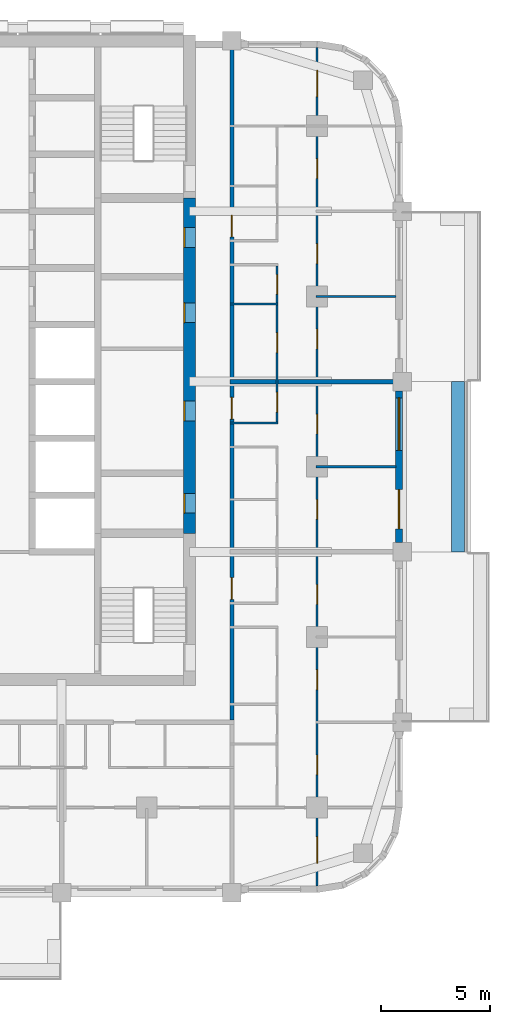
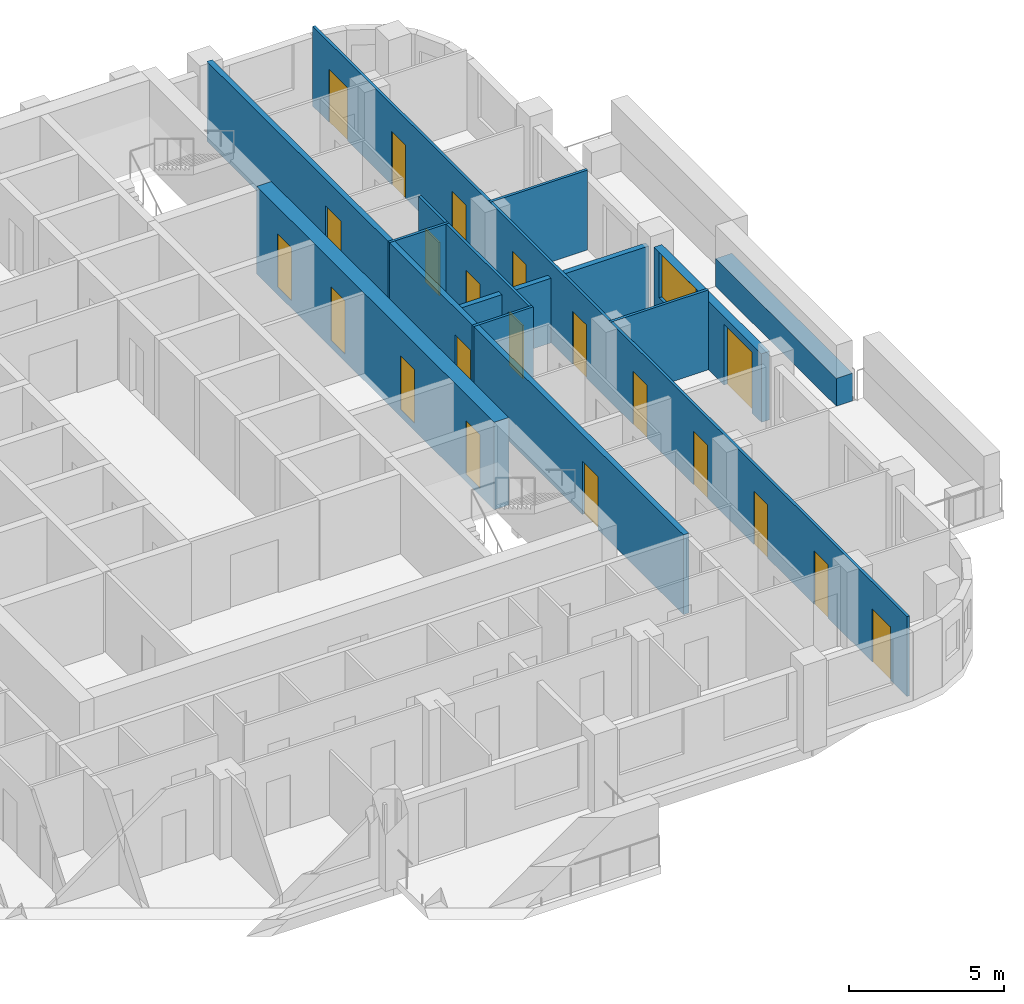
# One storey, part 7 of 14: 21 doors, 11 walls, 1 window, 22 openings.
"""IFC4 building model written with IfcOpenShell, lengths in metres."""

from ifc_helpers import new_model, si_unit, direction, frame, frame_2d, origin, place, context, subcontext, project, spatial, rectangle, extrude, material, layer, layer_set, type_object, element, fill, save


model = new_model("IFC4")

# Units and contexts
model_context = context("Model", 3, precision=1e-05, world=origin(), true_north=direction((0.0, 1.0)))
body_context = subcontext(model_context, "Body", "Model", "MODEL_VIEW")
ifc_project = project(units=[si_unit("LENGTHUNIT", "METRE"), si_unit("AREAUNIT", "SQUARE_METRE"), si_unit("VOLUMEUNIT", "CUBIC_METRE"), si_unit("PLANEANGLEUNIT", "RADIAN"), si_unit("MASSUNIT", "GRAM", prefix="KILO")], contexts=[model_context])

# Site, building, storey
site_placement = place(None, origin())
site = spatial("IfcSite", under=ifc_project, at=site_placement, CompositionType="ELEMENT")
building_placement = place(site_placement, origin())
building = spatial("IfcBuilding", under=site, at=building_placement, Name="Ludao Terraces", CompositionType="ELEMENT")
storey_placement = place(building_placement, frame((0.0, 0.0, 99.89990234375)))
storey = spatial("IfcBuildingStorey", under=building, at=storey_placement, Name="L27", CompositionType="ELEMENT", Elevation=99.89990234375)

# Wall, openings, doors
ifc_material_1 = material(Name="Concrete C60", Category="concrete")
ifc_layer_1 = layer(ifc_material_1, 0.550048828125)
ifc_layer_set_1 = layer_set([ifc_layer_1], Name="Core wall 550 C60")
wall_type_1 = type_object("IfcWallType", Name="Core wall 550 C60", PredefinedType="SOLIDWALL", material=ifc_layer_set_1)
wall_1_placement = place(storey_placement, frame((94.75, 61.949951171875, -0.2998046875), z_axis=(0.0, 0.0, 1.0), x_axis=(0.0, 1.0, 0.0)))
wall_1 = element("IfcWall", 1, at=wall_1_placement, inside=storey, type_object=wall_type_1, Name="Core wall L27 outer-E", PredefinedType="SOLIDWALL", context=body_context, shape_type="SweptSolid", body=[
    extrude(rectangle(XDim=15.35009765625, YDim=0.550048828125, at=frame_2d((7.675048828125, 0.0))), origin(), (0.0, 0.0, 1.0), 3.449951171875),
])
opening_1_placement = place(wall_1_placement, frame((0.925048828125, 0.0, 0.300048828125)))
opening_1 = element("IfcOpeningElement", 2, at=opening_1_placement, cuts=wall_1, Name="Opening R08-049", PredefinedType="OPENING", context=body_context, shape_type="SweptSolid", body=[
    extrude(rectangle(XDim=0.89990234375, YDim=2.10009765625, at=frame_2d((0.449951171875, 1.050048828125))), frame((0.0, 0.28515625, 0.0), z_axis=(0.0, -1.0, 0.0), x_axis=(1.0, 0.0, 0.0)), (0.0, 0.0, 1.0), 0.570068359375),
])
opening_2_placement = place(wall_1_placement, frame((5.14990234375, 0.0, 0.300048828125)))
opening_2 = element("IfcOpeningElement", 3, at=opening_2_placement, cuts=wall_1, Name="Opening R08-057", PredefinedType="OPENING", context=body_context, shape_type="SweptSolid", body=[
    extrude(rectangle(XDim=0.89990234375, YDim=2.10009765625, at=frame_2d((0.449951171875, 1.050048828125))), frame((0.0, 0.28515625, 0.0), z_axis=(0.0, -1.0, 0.0), x_axis=(1.0, 0.0, 0.0)), (0.0, 0.0, 1.0), 0.570068359375),
])
opening_3_placement = place(wall_1_placement, frame((9.64990234375, 0.0, 0.300048828125)))
opening_3 = element("IfcOpeningElement", 4, at=opening_3_placement, cuts=wall_1, Name="Opening R08-067", PredefinedType="OPENING", context=body_context, shape_type="SweptSolid", body=[
    extrude(rectangle(XDim=0.89990234375, YDim=2.10009765625, at=frame_2d((0.449951171875, 1.050048828125))), frame((0.0, 0.28515625, 0.0), z_axis=(0.0, -1.0, 0.0), x_axis=(1.0, 0.0, 0.0)), (0.0, 0.0, 1.0), 0.570068359375),
])
opening_4_placement = place(wall_1_placement, frame((13.10009765625, 0.0, 0.300048828125)))
opening_4 = element("IfcOpeningElement", 5, at=opening_4_placement, cuts=wall_1, Name="Opening R08-081", PredefinedType="OPENING", context=body_context, shape_type="SweptSolid", body=[
    extrude(rectangle(XDim=0.89990234375, YDim=2.10009765625, at=frame_2d((0.449951171875, 1.050048828125))), frame((0.0, 0.28515625, 0.0), z_axis=(0.0, -1.0, 0.0), x_axis=(1.0, 0.0, 0.0)), (0.0, 0.0, 1.0), 0.570068359375),
])
ifc_material_2 = material(Name="Steel Q235", Category="steel")
door_type_1 = type_object("IfcDoorType", Name="INT Riser door 900", OperationType="SINGLE_SWING_LEFT", PredefinedType="DOOR", material=ifc_material_2)
door_1_placement = place(opening_1_placement, origin())
door_1 = element("IfcDoor", 6, at=door_1_placement, inside=storey, type_object=door_type_1, Name="DOOR 049", OperationType="SINGLE_SWING_LEFT", OverallHeight=2.10009765625, OverallWidth=0.89990234375, PredefinedType="DOOR", context=body_context, shape_type="SweptSolid", body=[
    extrude(rectangle(XDim=0.89990234375, YDim=2.10009765625, at=frame_2d((0.449951171875, 1.050048828125))), frame((0.0, 0.26025390625, 0.0), z_axis=(0.0, -1.0, 0.0), x_axis=(1.0, 0.0, 0.0)), (0.0, 0.0, 1.0), 0.050048828125),
])
fill(opening_1, door_1)
door_2_placement = place(opening_4_placement, origin())
door_2 = element("IfcDoor", 7, at=door_2_placement, inside=storey, type_object=door_type_1, Name="DOOR 081", OperationType="SINGLE_SWING_RIGHT", OverallHeight=2.10009765625, OverallWidth=0.89990234375, PredefinedType="DOOR", context=body_context, shape_type="SweptSolid", body=[
    extrude(rectangle(XDim=0.89990234375, YDim=2.10009765625, at=frame_2d((0.449951171875, 1.050048828125))), frame((0.0, 0.26025390625, 0.0), z_axis=(0.0, -1.0, 0.0), x_axis=(1.0, 0.0, 0.0)), (0.0, 0.0, 1.0), 0.050048828125),
])
fill(opening_4, door_2)
ifc_material_3 = material(Name="Timber door leaf", Category="wood")
door_type_2 = type_object("IfcDoorType", Name="INT Room door 900", OperationType="SINGLE_SWING_LEFT", PredefinedType="DOOR", material=ifc_material_3)
door_3_placement = place(opening_2_placement, origin())
door_3 = element("IfcDoor", 8, at=door_3_placement, inside=storey, type_object=door_type_2, Name="DOOR 057", OperationType="SINGLE_SWING_LEFT", OverallHeight=2.10009765625, OverallWidth=0.89990234375, PredefinedType="DOOR", context=body_context, shape_type="SweptSolid", body=[
    extrude(rectangle(XDim=0.89990234375, YDim=2.10009765625, at=frame_2d((0.449951171875, 1.050048828125))), frame((0.0, 0.26025390625, 0.0), z_axis=(0.0, -1.0, 0.0), x_axis=(1.0, 0.0, 0.0)), (0.0, 0.0, 1.0), 0.050048828125),
])
fill(opening_2, door_3)
door_4_placement = place(opening_3_placement, origin())
door_4 = element("IfcDoor", 9, at=door_4_placement, inside=storey, type_object=door_type_2, Name="DOOR 067", OperationType="SINGLE_SWING_RIGHT", OverallHeight=2.10009765625, OverallWidth=0.89990234375, PredefinedType="DOOR", context=body_context, shape_type="SweptSolid", body=[
    extrude(rectangle(XDim=0.89990234375, YDim=2.10009765625, at=frame_2d((0.449951171875, 1.050048828125))), frame((0.0, 0.26025390625, 0.0), z_axis=(0.0, -1.0, 0.0), x_axis=(1.0, 0.0, 0.0)), (0.0, 0.0, 1.0), 0.050048828125),
])
fill(opening_3, door_4)

# Wall
ifc_material_4 = material(Name="Concrete C40", Category="concrete")
ifc_layer_2 = layer(ifc_material_4, 0.60009765625)
ifc_layer_set_2 = layer_set([ifc_layer_2], Name="ENV Planter trough 600")
wall_type_2 = type_object("IfcWallType", Name="ENV Planter trough 600", PredefinedType="USERDEFINED", material=ifc_layer_set_2)
wall_2_placement = place(storey_placement, frame((107.050048828125, 61.10009765625, 0.0), z_axis=(0.0, 0.0, 1.0), x_axis=(0.0, 1.0, 0.0)))
element("IfcWall", 10, at=wall_2_placement, inside=storey, type_object=wall_type_2, Name="PL-L27-E2", ObjectType="PLANTER", PredefinedType="USERDEFINED", context=body_context, shape_type="SweptSolid", body=[
    extrude(rectangle(XDim=7.7998046875, YDim=0.60009765625, at=frame_2d((3.89990234375, 0.0))), origin(), (0.0, 0.0, 1.0), 1.10009765625),
])

# Wall, openings, door, window
ifc_material_5 = material(Name="Granite cladding", Category="masonry")
ifc_layer_3 = layer(ifc_material_5, 0.0400390625, Category="stone")
ifc_material_6 = material(Name="Mineral wool")
ifc_layer_4 = layer(ifc_material_6, 0.06005859375)
ifc_layer_5 = layer(ifc_material_4, 0.199951171875, Category="concrete")
ifc_layer_set_3 = layer_set([ifc_layer_3, ifc_layer_4, ifc_layer_5], Name="ENV Stone-clad wall 300")
wall_type_3 = type_object("IfcWallType", Name="ENV Stone-clad wall 300", PredefinedType="SOLIDWALL", material=ifc_layer_set_3)
wall_3_placement = place(storey_placement, frame((104.35009765625, 61.52490234375, 0.0), z_axis=(0.0, 0.0, 1.0), x_axis=(0.0, 1.0, 0.0)))
wall_3 = element("IfcWall", 11, at=wall_3_placement, inside=storey, type_object=wall_type_3, Name="EW-L27-E3", PredefinedType="SOLIDWALL", context=body_context, shape_type="SweptSolid", body=[
    extrude(rectangle(XDim=6.9501953125, YDim=0.300048828125, at=frame_2d((3.47509765625, 0.0))), origin(), (0.0, 0.0, 1.0), 2.7001953125),
])
opening_5_placement = place(wall_3_placement, frame((0.625, 0.0, 0.0)))
opening_5 = element("IfcOpeningElement", 12, at=opening_5_placement, cuts=wall_3, Name="Opening BD", PredefinedType="OPENING", context=body_context, shape_type="SweptSolid", body=[
    extrude(rectangle(XDim=1.800048828125, YDim=2.39990234375, at=frame_2d((0.89990234375, 1.199951171875))), frame((0.0, 0.16015625, 0.0), z_axis=(0.0, -1.0, 0.0), x_axis=(1.0, 0.0, 0.0)), (0.0, 0.0, 1.0), 0.320068359375),
])
opening_6_placement = place(wall_3_placement, frame((4.22509765625, 0.0, 0.89990234375)))
opening_6 = element("IfcOpeningElement", 13, at=opening_6_placement, cuts=wall_3, Name="Opening W1", PredefinedType="OPENING", context=body_context, shape_type="SweptSolid", body=[
    extrude(rectangle(XDim=2.39990234375, YDim=1.800048828125, at=frame_2d((1.199951171875, 0.89990234375))), frame((0.0, 0.16015625, 0.0), z_axis=(0.0, -1.0, 0.0), x_axis=(1.0, 0.0, 0.0)), (0.0, 0.0, 1.0), 0.320068359375),
])
ifc_material_7 = material(Name="Aluminium glazed door", Category="aluminium")
ifc_layer_6 = layer(ifc_material_7, 0.06005859375)
ifc_layer_set_4 = layer_set([ifc_layer_6], Name="ENV Balcony door BD 1800x2400")
door_type_3 = type_object("IfcDoorType", Name="ENV Balcony door BD 1800x2400", OperationType="DOUBLE_DOOR_SINGLE_SWING", PredefinedType="DOOR", material=ifc_layer_set_4)
door_5_placement = place(opening_5_placement, origin())
door_5 = element("IfcDoor", 14, at=door_5_placement, inside=storey, type_object=door_type_3, Name="BD-L27-E3-1", OperationType="DOUBLE_DOOR_SINGLE_SWING", OverallHeight=2.39990234375, OverallWidth=1.800048828125, PredefinedType="DOOR", context=body_context, shape_type="SweptSolid", body=[
    extrude(rectangle(XDim=1.800048828125, YDim=2.39990234375, at=frame_2d((0.89990234375, 1.199951171875))), frame((0.0, 0.02490234375, 0.0), z_axis=(0.0, -1.0, 0.0), x_axis=(1.0, 0.0, 0.0)), (0.0, 0.0, 1.0), 0.050048828125),
])
fill(opening_5, door_5)
ifc_material_8 = material(Name="Clear glass in aluminium frame", Category="aluminium")
ifc_layer_7 = layer(ifc_material_8, 0.06005859375)
ifc_layer_set_5 = layer_set([ifc_layer_7], Name="ENV Window W1 2400x1800")
window_type = type_object("IfcWindowType", Name="ENV Window W1 2400x1800", PartitioningType="DOUBLE_PANEL_VERTICAL", PredefinedType="WINDOW", material=ifc_layer_set_5)
window_placement = place(opening_6_placement, origin())
window = element("IfcWindow", 15, at=window_placement, inside=storey, type_object=window_type, Name="W-L27-E3-2", OverallHeight=1.800048828125, OverallWidth=2.39990234375, PartitioningType="DOUBLE_PANEL_VERTICAL", PredefinedType="WINDOW", context=body_context, shape_type="SweptSolid", body=[
    extrude(rectangle(XDim=2.39990234375, YDim=1.800048828125, at=frame_2d((1.199951171875, 0.89990234375))), frame((0.0, 0.030029296875, 0.0), z_axis=(0.0, -1.0, 0.0), x_axis=(1.0, 0.0, 0.0)), (0.0, 0.0, 1.0), 0.06005859375),
])
fill(opening_6, window)

# Wall, openings, doors
ifc_material_9 = material(Name="Autoclaved aerated concrete block B06 A3.5", Category="concrete")
ifc_layer_8 = layer(ifc_material_9, 0.199951171875)
ifc_layer_set_6 = layer_set([ifc_layer_8], Name="INT Entrance wall 200")
wall_type_4 = type_object("IfcWallType", Name="INT Entrance wall 200", PredefinedType="PARTITIONING", material=ifc_layer_set_6)
wall_4_placement = place(storey_placement, frame((96.699951171875, 53.400146484375, 0.0), z_axis=(0.0, 0.0, 1.0), x_axis=(0.0, 1.0, 0.0)))
wall_4 = element("IfcWall", 16, at=wall_4_placement, inside=storey, type_object=wall_type_4, Name="PW-L27-PW072", PredefinedType="PARTITIONING", context=body_context, shape_type="SweptSolid", body=[
    extrude(rectangle(XDim=30.800048828125, YDim=0.199951171875, at=frame_2d((15.39990234375, 0.0))), origin(), (0.0, 0.0, 1.0), 3.150146484375),
])
opening_7_placement = place(wall_4_placement, frame((5.52490234375, 0.0, 0.0)))
opening_7 = element("IfcOpeningElement", 17, at=opening_7_placement, cuts=wall_4, Name="Opening R08-039", PredefinedType="OPENING", context=body_context, shape_type="SweptSolid", body=[
    extrude(rectangle(XDim=1.0, YDim=2.10009765625, at=frame_2d((0.5, 1.050048828125))), frame((0.0, 0.10986328125, 0.0), z_axis=(0.0, -1.0, 0.0), x_axis=(1.0, 0.0, 0.0)), (0.0, 0.0, 1.0), 0.219970703125),
])
opening_8_placement = place(wall_4_placement, frame((13.77490234375, 0.0, 0.0)))
opening_8 = element("IfcOpeningElement", 18, at=opening_8_placement, cuts=wall_4, Name="Opening R08-059", PredefinedType="OPENING", context=body_context, shape_type="SweptSolid", body=[
    extrude(rectangle(XDim=1.0, YDim=2.10009765625, at=frame_2d((0.5, 1.050048828125))), frame((0.0, 0.10986328125, 0.0), z_axis=(0.0, -1.0, 0.0), x_axis=(1.0, 0.0, 0.0)), (0.0, 0.0, 1.0), 0.219970703125),
])
opening_9_placement = place(wall_4_placement, frame((22.125, 0.0, 0.0)))
opening_9 = element("IfcOpeningElement", 19, at=opening_9_placement, cuts=wall_4, Name="Opening R08-082", PredefinedType="OPENING", context=body_context, shape_type="SweptSolid", body=[
    extrude(rectangle(XDim=1.0, YDim=2.10009765625, at=frame_2d((0.5, 1.050048828125))), frame((0.0, 0.10986328125, 0.0), z_axis=(0.0, -1.0, 0.0), x_axis=(1.0, 0.0, 0.0)), (0.0, 0.0, 1.0), 0.219970703125),
])
door_type_4 = type_object("IfcDoorType", Name="INT Flat entrance door 1000", OperationType="SINGLE_SWING_LEFT", PredefinedType="DOOR", material=ifc_material_2)
door_6_placement = place(opening_7_placement, origin())
door_6 = element("IfcDoor", 20, at=door_6_placement, inside=storey, type_object=door_type_4, Name="DOOR 039", OperationType="SINGLE_SWING_LEFT", OverallHeight=2.10009765625, OverallWidth=1.0, PredefinedType="DOOR", context=body_context, shape_type="SweptSolid", body=[
    extrude(rectangle(XDim=1.0, YDim=2.10009765625, at=frame_2d((0.5, 1.050048828125))), frame((0.0, 0.02490234375, 0.0), z_axis=(0.0, -1.0, 0.0), x_axis=(1.0, 0.0, 0.0)), (0.0, 0.0, 1.0), 0.050048828125),
])
fill(opening_7, door_6)
door_7_placement = place(opening_8_placement, origin())
door_7 = element("IfcDoor", 21, at=door_7_placement, inside=storey, type_object=door_type_4, Name="DOOR 059", OperationType="SINGLE_SWING_LEFT", OverallHeight=2.10009765625, OverallWidth=1.0, PredefinedType="DOOR", context=body_context, shape_type="SweptSolid", body=[
    extrude(rectangle(XDim=1.0, YDim=2.10009765625, at=frame_2d((0.5, 1.050048828125))), frame((0.0, 0.02490234375, 0.0), z_axis=(0.0, -1.0, 0.0), x_axis=(1.0, 0.0, 0.0)), (0.0, 0.0, 1.0), 0.050048828125),
])
fill(opening_8, door_7)
door_8_placement = place(opening_9_placement, origin())
door_8 = element("IfcDoor", 22, at=door_8_placement, inside=storey, type_object=door_type_4, Name="DOOR 082", OperationType="SINGLE_SWING_LEFT", OverallHeight=2.10009765625, OverallWidth=1.0, PredefinedType="DOOR", context=body_context, shape_type="SweptSolid", body=[
    extrude(rectangle(XDim=1.0, YDim=2.10009765625, at=frame_2d((0.5, 1.050048828125))), frame((0.0, 0.02490234375, 0.0), z_axis=(0.0, -1.0, 0.0), x_axis=(1.0, 0.0, 0.0)), (0.0, 0.0, 1.0), 0.050048828125),
])
fill(opening_9, door_8)

# Walls
ifc_material_10 = material(Name="Gypsum plasterboard", Category="gypsum")
ifc_layer_9 = layer(ifc_material_10, 0.012451171875, Category="gypsum")
ifc_layer_10 = layer(ifc_material_6, 0.06005859375, Name="insulation")
ifc_layer_11 = layer(ifc_material_2, 0.014892578125, Name="stud")
ifc_layer_12 = layer(ifc_material_10, 0.012451171875, Category="gypsum")
ifc_layer_set_7 = layer_set([ifc_layer_9, ifc_layer_10, ifc_layer_11, ifc_layer_12], Name="INT Partition 100")
wall_type_5 = type_object("IfcWallType", Name="INT Partition 100", PredefinedType="PARTITIONING", material=ifc_layer_set_7)
wall_5_placement = place(storey_placement, frame((100.550048828125, 65.0, 0.0), z_axis=(0.0, 0.0, 1.0), x_axis=(1.0, 0.0, 0.0)))
element("IfcWall", 23, at=wall_5_placement, inside=storey, type_object=wall_type_5, Name="PW-L27-PW024", PredefinedType="PARTITIONING", context=body_context, shape_type="SweptSolid", body=[
    extrude(rectangle(XDim=3.650146484375, YDim=0.10009765625, at=frame_2d((1.8251953125, 0.0))), origin(), (0.0, 0.0, 1.0), 3.150146484375),
])
for number, where, z_axis, x_axis, name in (
    (24, (96.60009765625, 67.0, 0.0), (0.0, 0.0, 1.0), (1.0, 0.0, 0.0), "PW-L27-PW026"),
    (25, (96.60009765625, 72.449951171875, 0.0), (0.0, 0.0, 1.0), (1.0, 0.0, 0.0), "PW-L27-PW035"),
):
    element("IfcWall", number, at=place(storey_placement, frame(where, z_axis=z_axis, x_axis=x_axis)), inside=storey, type_object=wall_type_5, Name=name, PredefinedType="PARTITIONING", context=body_context, shape_type="SweptSolid", body=[
        extrude(rectangle(XDim=2.219970703125, YDim=0.10009765625, at=frame_2d((1.10986328125, 0.0))), origin(), (0.0, 0.0, 1.0), 3.150146484375),
    ])
wall_6_placement = place(storey_placement, frame((100.550048828125, 72.800048828125, 0.0), z_axis=(0.0, 0.0, 1.0), x_axis=(1.0, 0.0, 0.0)))
element("IfcWall", 26, at=wall_6_placement, inside=storey, type_object=wall_type_5, Name="PW-L27-PW037", PredefinedType="PARTITIONING", context=body_context, shape_type="SweptSolid", body=[
    extrude(rectangle(XDim=3.650146484375, YDim=0.10009765625, at=frame_2d((1.8251953125, 0.0))), origin(), (0.0, 0.0, 1.0), 3.150146484375),
])

# Wall, openings, doors
wall_7_placement = place(storey_placement, frame((98.77001953125, 67.050048828125, 0.0), z_axis=(0.0, 0.0, 1.0), x_axis=(0.0, 1.0, 0.0)))
wall_7 = element("IfcWall", 27, at=wall_7_placement, inside=storey, type_object=wall_type_5, Name="PW-L27-PW075", PredefinedType="PARTITIONING", context=body_context, shape_type="SweptSolid", body=[
    extrude(rectangle(XDim=7.150146484375, YDim=0.10009765625, at=frame_2d((3.5751953125, 0.0))), origin(), (0.0, 0.0, 1.0), 3.150146484375),
])
opening_10_placement = place(wall_7_placement, frame((0.449951171875, 0.0, 0.0)))
opening_10 = element("IfcOpeningElement", 28, at=opening_10_placement, cuts=wall_7, Name="Opening R08-060", PredefinedType="OPENING", context=body_context, shape_type="SweptSolid", body=[
    extrude(rectangle(XDim=0.89990234375, YDim=2.10009765625, at=frame_2d((0.449951171875, 1.050048828125))), frame((0.0, 0.06005859375, 0.0), z_axis=(0.0, -1.0, 0.0), x_axis=(1.0, 0.0, 0.0)), (0.0, 0.0, 1.0), 0.1201171875),
])
opening_11_placement = place(wall_7_placement, frame((3.175048828125, 0.0, 0.0)))
opening_11 = element("IfcOpeningElement", 29, at=opening_11_placement, cuts=wall_7, Name="Opening R08-064", PredefinedType="OPENING", context=body_context, shape_type="SweptSolid", body=[
    extrude(rectangle(XDim=0.89990234375, YDim=2.10009765625, at=frame_2d((0.449951171875, 1.050048828125))), frame((0.0, 0.06005859375, 0.0), z_axis=(0.0, -1.0, 0.0), x_axis=(1.0, 0.0, 0.0)), (0.0, 0.0, 1.0), 0.1201171875),
])
opening_12_placement = place(wall_7_placement, frame((5.85009765625, 0.0, 0.0)))
opening_12 = element("IfcOpeningElement", 30, at=opening_12_placement, cuts=wall_7, Name="Opening R08-073", PredefinedType="OPENING", context=body_context, shape_type="SweptSolid", body=[
    extrude(rectangle(XDim=0.89990234375, YDim=2.10009765625, at=frame_2d((0.449951171875, 1.050048828125))), frame((0.0, 0.06005859375, 0.0), z_axis=(0.0, -1.0, 0.0), x_axis=(1.0, 0.0, 0.0)), (0.0, 0.0, 1.0), 0.1201171875),
])
door_type_5 = type_object("IfcDoorType", Name="INT Bathroom door 900", OperationType="SINGLE_SWING_LEFT", PredefinedType="DOOR", material=ifc_material_3)
door_9_placement = place(opening_12_placement, origin())
door_9 = element("IfcDoor", 31, at=door_9_placement, inside=storey, type_object=door_type_5, Name="DOOR 073", OperationType="SINGLE_SWING_RIGHT", OverallHeight=2.10009765625, OverallWidth=0.89990234375, PredefinedType="DOOR", context=body_context, shape_type="SweptSolid", body=[
    extrude(rectangle(XDim=0.89990234375, YDim=2.10009765625, at=frame_2d((0.449951171875, 1.050048828125))), frame((0.0, 0.02490234375, 0.0), z_axis=(0.0, -1.0, 0.0), x_axis=(1.0, 0.0, 0.0)), (0.0, 0.0, 1.0), 0.050048828125),
])
fill(opening_12, door_9)
door_10_placement = place(opening_10_placement, origin())
door_10 = element("IfcDoor", 32, at=door_10_placement, inside=storey, type_object=door_type_2, Name="DOOR 060", OperationType="SINGLE_SWING_RIGHT", OverallHeight=2.10009765625, OverallWidth=0.89990234375, PredefinedType="DOOR", context=body_context, shape_type="SweptSolid", body=[
    extrude(rectangle(XDim=0.89990234375, YDim=2.10009765625, at=frame_2d((0.449951171875, 1.050048828125))), frame((0.0, 0.02490234375, 0.0), z_axis=(0.0, -1.0, 0.0), x_axis=(1.0, 0.0, 0.0)), (0.0, 0.0, 1.0), 0.050048828125),
])
fill(opening_10, door_10)
door_11_placement = place(opening_11_placement, origin())
door_11 = element("IfcDoor", 33, at=door_11_placement, inside=storey, type_object=door_type_2, Name="DOOR 064", OperationType="SINGLE_SWING_LEFT", OverallHeight=2.10009765625, OverallWidth=0.89990234375, PredefinedType="DOOR", context=body_context, shape_type="SweptSolid", body=[
    extrude(rectangle(XDim=0.89990234375, YDim=2.10009765625, at=frame_2d((0.449951171875, 1.050048828125))), frame((0.0, 0.02490234375, 0.0), z_axis=(0.0, -1.0, 0.0), x_axis=(1.0, 0.0, 0.0)), (0.0, 0.0, 1.0), 0.050048828125),
])
fill(opening_11, door_11)

wall_8_placement = place(storey_placement, frame((100.60009765625, 45.800048828125, 0.0), z_axis=(0.0, 0.0, 1.0), x_axis=(0.0, 1.0, 0.0)))
wall_8 = element("IfcWall", 34, at=wall_8_placement, inside=storey, type_object=wall_type_5, Name="PW-L27-PW077", PredefinedType="PARTITIONING", context=body_context, shape_type="SweptSolid", body=[
    extrude(rectangle(XDim=38.400146484375, YDim=0.10009765625, at=frame_2d((19.2001953125, 0.0))), origin(), (0.0, 0.0, 1.0), 3.150146484375),
])
opening_13_placement = place(wall_8_placement, frame((1.050048828125, 0.0, 0.0)))
opening_13 = element("IfcOpeningElement", 35, at=opening_13_placement, cuts=wall_8, Name="Opening R08-002", PredefinedType="OPENING", context=body_context, shape_type="SweptSolid", body=[
    extrude(rectangle(XDim=1.199951171875, YDim=2.10009765625, at=frame_2d((0.60009765625, 1.050048828125))), frame((0.0, 0.06005859375, 0.0), z_axis=(0.0, -1.0, 0.0), x_axis=(1.0, 0.0, 0.0)), (0.0, 0.0, 1.0), 0.1201171875),
])
opening_14_placement = place(wall_8_placement, frame((5.10009765625, 0.0, 0.0)))
opening_14 = element("IfcOpeningElement", 36, at=opening_14_placement, cuts=wall_8, Name="Opening R08-023", PredefinedType="OPENING", context=body_context, shape_type="SweptSolid", body=[
    extrude(rectangle(XDim=0.89990234375, YDim=2.10009765625, at=frame_2d((0.449951171875, 1.050048828125))), frame((0.0, 0.06005859375, 0.0), z_axis=(0.0, -1.0, 0.0), x_axis=(1.0, 0.0, 0.0)), (0.0, 0.0, 1.0), 0.1201171875),
])
opening_15_placement = place(wall_8_placement, frame((9.0, 0.0, 0.0)))
opening_15 = element("IfcOpeningElement", 37, at=opening_15_placement, cuts=wall_8, Name="Opening R08-030", PredefinedType="OPENING", context=body_context, shape_type="SweptSolid", body=[
    extrude(rectangle(XDim=0.89990234375, YDim=2.10009765625, at=frame_2d((0.449951171875, 1.050048828125))), frame((0.0, 0.06005859375, 0.0), z_axis=(0.0, -1.0, 0.0), x_axis=(1.0, 0.0, 0.0)), (0.0, 0.0, 1.0), 0.1201171875),
])
opening_16_placement = place(wall_8_placement, frame((12.89990234375, 0.0, 0.0)))
opening_16 = element("IfcOpeningElement", 38, at=opening_16_placement, cuts=wall_8, Name="Opening R08-038", PredefinedType="OPENING", context=body_context, shape_type="SweptSolid", body=[
    extrude(rectangle(XDim=0.89990234375, YDim=2.10009765625, at=frame_2d((0.449951171875, 1.050048828125))), frame((0.0, 0.06005859375, 0.0), z_axis=(0.0, -1.0, 0.0), x_axis=(1.0, 0.0, 0.0)), (0.0, 0.0, 1.0), 0.1201171875),
])
opening_17_placement = place(wall_8_placement, frame((16.800048828125, 0.0, 0.0)))
opening_17 = element("IfcOpeningElement", 39, at=opening_17_placement, cuts=wall_8, Name="Opening R08-048", PredefinedType="OPENING", context=body_context, shape_type="SweptSolid", body=[
    extrude(rectangle(XDim=0.89990234375, YDim=2.10009765625, at=frame_2d((0.449951171875, 1.050048828125))), frame((0.0, 0.06005859375, 0.0), z_axis=(0.0, -1.0, 0.0), x_axis=(1.0, 0.0, 0.0)), (0.0, 0.0, 1.0), 0.1201171875),
])
opening_18_placement = place(wall_8_placement, frame((20.699951171875, 0.0, 0.0)))
opening_18 = element("IfcOpeningElement", 40, at=opening_18_placement, cuts=wall_8, Name="Opening R08-056", PredefinedType="OPENING", context=body_context, shape_type="SweptSolid", body=[
    extrude(rectangle(XDim=0.89990234375, YDim=2.10009765625, at=frame_2d((0.449951171875, 1.050048828125))), frame((0.0, 0.06005859375, 0.0), z_axis=(0.0, -1.0, 0.0), x_axis=(1.0, 0.0, 0.0)), (0.0, 0.0, 1.0), 0.1201171875),
])
opening_19_placement = place(wall_8_placement, frame((24.60009765625, 0.0, 0.0)))
opening_19 = element("IfcOpeningElement", 41, at=opening_19_placement, cuts=wall_8, Name="Opening R08-066", PredefinedType="OPENING", context=body_context, shape_type="SweptSolid", body=[
    extrude(rectangle(XDim=0.89990234375, YDim=2.10009765625, at=frame_2d((0.449951171875, 1.050048828125))), frame((0.0, 0.06005859375, 0.0), z_axis=(0.0, -1.0, 0.0), x_axis=(1.0, 0.0, 0.0)), (0.0, 0.0, 1.0), 0.1201171875),
])
opening_20_placement = place(wall_8_placement, frame((28.5, 0.0, 0.0)))
opening_20 = element("IfcOpeningElement", 42, at=opening_20_placement, cuts=wall_8, Name="Opening R08-076", PredefinedType="OPENING", context=body_context, shape_type="SweptSolid", body=[
    extrude(rectangle(XDim=0.89990234375, YDim=2.10009765625, at=frame_2d((0.449951171875, 1.050048828125))), frame((0.0, 0.06005859375, 0.0), z_axis=(0.0, -1.0, 0.0), x_axis=(1.0, 0.0, 0.0)), (0.0, 0.0, 1.0), 0.1201171875),
])
opening_21_placement = place(wall_8_placement, frame((32.39990234375, 0.0, 0.0)))
opening_21 = element("IfcOpeningElement", 43, at=opening_21_placement, cuts=wall_8, Name="Opening R08-091", PredefinedType="OPENING", context=body_context, shape_type="SweptSolid", body=[
    extrude(rectangle(XDim=0.89990234375, YDim=2.10009765625, at=frame_2d((0.449951171875, 1.050048828125))), frame((0.0, 0.06005859375, 0.0), z_axis=(0.0, -1.0, 0.0), x_axis=(1.0, 0.0, 0.0)), (0.0, 0.0, 1.0), 0.1201171875),
])
opening_22_placement = place(wall_8_placement, frame((36.14990234375, 0.0, 0.0)))
opening_22 = element("IfcOpeningElement", 44, at=opening_22_placement, cuts=wall_8, Name="Opening R08-099", PredefinedType="OPENING", context=body_context, shape_type="SweptSolid", body=[
    extrude(rectangle(XDim=1.199951171875, YDim=2.10009765625, at=frame_2d((0.60009765625, 1.050048828125))), frame((0.0, 0.06005859375, 0.0), z_axis=(0.0, -1.0, 0.0), x_axis=(1.0, 0.0, 0.0)), (0.0, 0.0, 1.0), 0.1201171875),
])
door_type_6 = type_object("IfcDoorType", Name="INT Double door 1200", OperationType="DOUBLE_DOOR_SINGLE_SWING", PredefinedType="DOOR", material=ifc_material_3)
door_12_placement = place(opening_13_placement, origin())
door_12 = element("IfcDoor", 45, at=door_12_placement, inside=storey, type_object=door_type_6, Name="DOOR 002", OperationType="DOUBLE_DOOR_SINGLE_SWING", OverallHeight=2.10009765625, OverallWidth=1.199951171875, PredefinedType="DOOR", context=body_context, shape_type="SweptSolid", body=[
    extrude(rectangle(XDim=1.199951171875, YDim=2.10009765625, at=frame_2d((0.60009765625, 1.050048828125))), frame((0.0, 0.02490234375, 0.0), z_axis=(0.0, -1.0, 0.0), x_axis=(1.0, 0.0, 0.0)), (0.0, 0.0, 1.0), 0.050048828125),
])
fill(opening_13, door_12)
door_13_placement = place(opening_22_placement, origin())
door_13 = element("IfcDoor", 46, at=door_13_placement, inside=storey, type_object=door_type_6, Name="DOOR 099", OperationType="DOUBLE_DOOR_SINGLE_SWING", OverallHeight=2.10009765625, OverallWidth=1.199951171875, PredefinedType="DOOR", context=body_context, shape_type="SweptSolid", body=[
    extrude(rectangle(XDim=1.199951171875, YDim=2.10009765625, at=frame_2d((0.60009765625, 1.050048828125))), frame((0.0, 0.02490234375, 0.0), z_axis=(0.0, -1.0, 0.0), x_axis=(1.0, 0.0, 0.0)), (0.0, 0.0, 1.0), 0.050048828125),
])
fill(opening_22, door_13)
door_14_placement = place(opening_14_placement, origin())
door_14 = element("IfcDoor", 47, at=door_14_placement, inside=storey, type_object=door_type_2, Name="DOOR 023", OperationType="SINGLE_SWING_LEFT", OverallHeight=2.10009765625, OverallWidth=0.89990234375, PredefinedType="DOOR", context=body_context, shape_type="SweptSolid", body=[
    extrude(rectangle(XDim=0.89990234375, YDim=2.10009765625, at=frame_2d((0.449951171875, 1.050048828125))), frame((0.0, 0.02490234375, 0.0), z_axis=(0.0, -1.0, 0.0), x_axis=(1.0, 0.0, 0.0)), (0.0, 0.0, 1.0), 0.050048828125),
])
fill(opening_14, door_14)
door_15_placement = place(opening_15_placement, origin())
door_15 = element("IfcDoor", 48, at=door_15_placement, inside=storey, type_object=door_type_2, Name="DOOR 030", OperationType="SINGLE_SWING_RIGHT", OverallHeight=2.10009765625, OverallWidth=0.89990234375, PredefinedType="DOOR", context=body_context, shape_type="SweptSolid", body=[
    extrude(rectangle(XDim=0.89990234375, YDim=2.10009765625, at=frame_2d((0.449951171875, 1.050048828125))), frame((0.0, 0.02490234375, 0.0), z_axis=(0.0, -1.0, 0.0), x_axis=(1.0, 0.0, 0.0)), (0.0, 0.0, 1.0), 0.050048828125),
])
fill(opening_15, door_15)
door_16_placement = place(opening_16_placement, origin())
door_16 = element("IfcDoor", 49, at=door_16_placement, inside=storey, type_object=door_type_2, Name="DOOR 038", OperationType="SINGLE_SWING_RIGHT", OverallHeight=2.10009765625, OverallWidth=0.89990234375, PredefinedType="DOOR", context=body_context, shape_type="SweptSolid", body=[
    extrude(rectangle(XDim=0.89990234375, YDim=2.10009765625, at=frame_2d((0.449951171875, 1.050048828125))), frame((0.0, 0.02490234375, 0.0), z_axis=(0.0, -1.0, 0.0), x_axis=(1.0, 0.0, 0.0)), (0.0, 0.0, 1.0), 0.050048828125),
])
fill(opening_16, door_16)
door_17_placement = place(opening_17_placement, origin())
door_17 = element("IfcDoor", 50, at=door_17_placement, inside=storey, type_object=door_type_2, Name="DOOR 048", OperationType="SINGLE_SWING_LEFT", OverallHeight=2.10009765625, OverallWidth=0.89990234375, PredefinedType="DOOR", context=body_context, shape_type="SweptSolid", body=[
    extrude(rectangle(XDim=0.89990234375, YDim=2.10009765625, at=frame_2d((0.449951171875, 1.050048828125))), frame((0.0, 0.02490234375, 0.0), z_axis=(0.0, -1.0, 0.0), x_axis=(1.0, 0.0, 0.0)), (0.0, 0.0, 1.0), 0.050048828125),
])
fill(opening_17, door_17)
door_18_placement = place(opening_18_placement, origin())
door_18 = element("IfcDoor", 51, at=door_18_placement, inside=storey, type_object=door_type_2, Name="DOOR 056", OperationType="SINGLE_SWING_RIGHT", OverallHeight=2.10009765625, OverallWidth=0.89990234375, PredefinedType="DOOR", context=body_context, shape_type="SweptSolid", body=[
    extrude(rectangle(XDim=0.89990234375, YDim=2.10009765625, at=frame_2d((0.449951171875, 1.050048828125))), frame((0.0, 0.02490234375, 0.0), z_axis=(0.0, -1.0, 0.0), x_axis=(1.0, 0.0, 0.0)), (0.0, 0.0, 1.0), 0.050048828125),
])
fill(opening_18, door_18)
door_19_placement = place(opening_19_placement, origin())
door_19 = element("IfcDoor", 52, at=door_19_placement, inside=storey, type_object=door_type_2, Name="DOOR 066", OperationType="SINGLE_SWING_LEFT", OverallHeight=2.10009765625, OverallWidth=0.89990234375, PredefinedType="DOOR", context=body_context, shape_type="SweptSolid", body=[
    extrude(rectangle(XDim=0.89990234375, YDim=2.10009765625, at=frame_2d((0.449951171875, 1.050048828125))), frame((0.0, 0.02490234375, 0.0), z_axis=(0.0, -1.0, 0.0), x_axis=(1.0, 0.0, 0.0)), (0.0, 0.0, 1.0), 0.050048828125),
])
fill(opening_19, door_19)
door_20_placement = place(opening_20_placement, origin())
door_20 = element("IfcDoor", 53, at=door_20_placement, inside=storey, type_object=door_type_2, Name="DOOR 076", OperationType="SINGLE_SWING_LEFT", OverallHeight=2.10009765625, OverallWidth=0.89990234375, PredefinedType="DOOR", context=body_context, shape_type="SweptSolid", body=[
    extrude(rectangle(XDim=0.89990234375, YDim=2.10009765625, at=frame_2d((0.449951171875, 1.050048828125))), frame((0.0, 0.02490234375, 0.0), z_axis=(0.0, -1.0, 0.0), x_axis=(1.0, 0.0, 0.0)), (0.0, 0.0, 1.0), 0.050048828125),
])
fill(opening_20, door_20)
door_21_placement = place(opening_21_placement, origin())
door_21 = element("IfcDoor", 54, at=door_21_placement, inside=storey, type_object=door_type_2, Name="DOOR 091", OperationType="SINGLE_SWING_RIGHT", OverallHeight=2.10009765625, OverallWidth=0.89990234375, PredefinedType="DOOR", context=body_context, shape_type="SweptSolid", body=[
    extrude(rectangle(XDim=0.89990234375, YDim=2.10009765625, at=frame_2d((0.449951171875, 1.050048828125))), frame((0.0, 0.02490234375, 0.0), z_axis=(0.0, -1.0, 0.0), x_axis=(1.0, 0.0, 0.0)), (0.0, 0.0, 1.0), 0.050048828125),
])
fill(opening_21, door_21)

# Wall
ifc_layer_13 = layer(ifc_material_9, 0.199951171875)
ifc_layer_set_8 = layer_set([ifc_layer_13], Name="INT Party wall 200")
wall_type_6 = type_object("IfcWallType", Name="INT Party wall 200", PredefinedType="PARTITIONING", material=ifc_layer_set_8)
wall_9_placement = place(storey_placement, frame((96.60009765625, 68.89990234375, 0.0), z_axis=(0.0, 0.0, 1.0), x_axis=(1.0, 0.0, 0.0)))
element("IfcWall", 55, at=wall_9_placement, inside=storey, type_object=wall_type_6, Name="PW-L27-PW030", PredefinedType="PARTITIONING", context=body_context, shape_type="SweptSolid", body=[
    extrude(rectangle(XDim=7.60009765625, YDim=0.199951171875, at=frame_2d((3.800048828125, 0.0))), origin(), (0.0, 0.0, 1.0), 2.550048828125),
])

save(model, "model.ifc")
